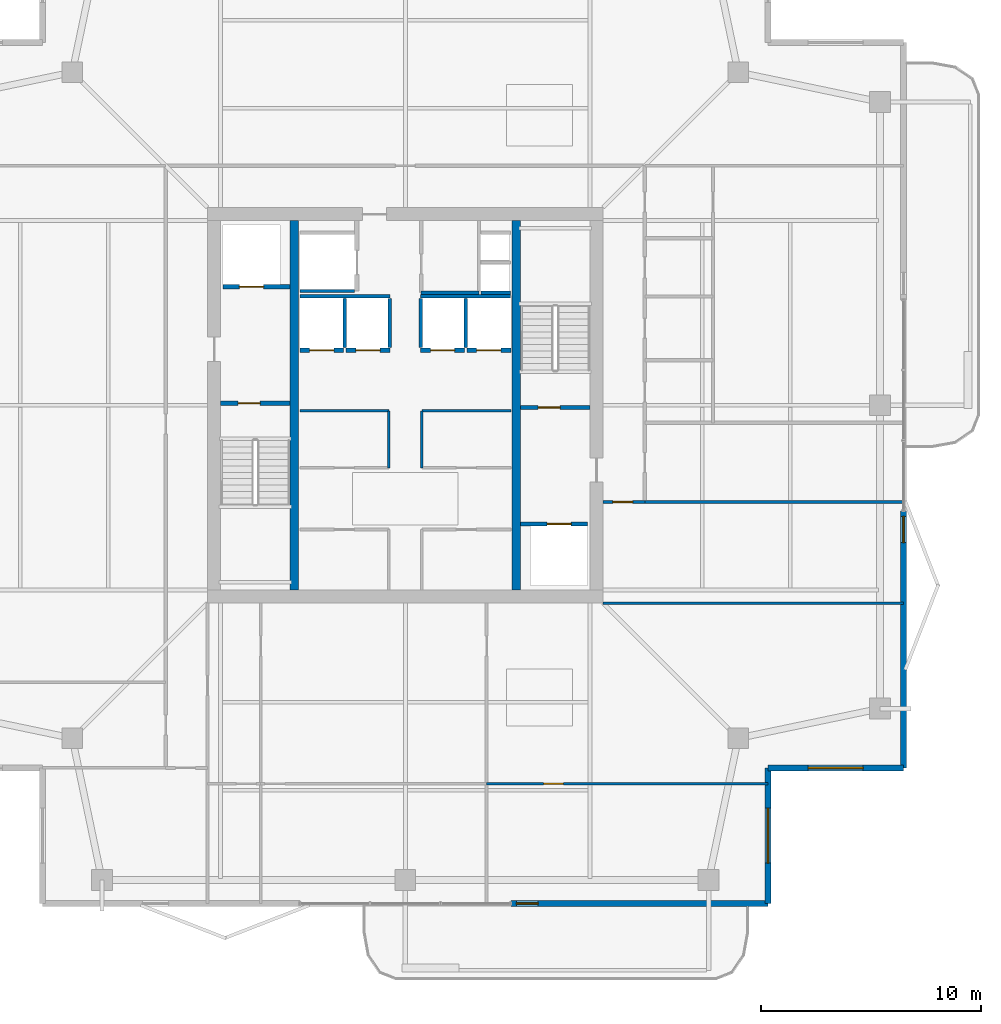
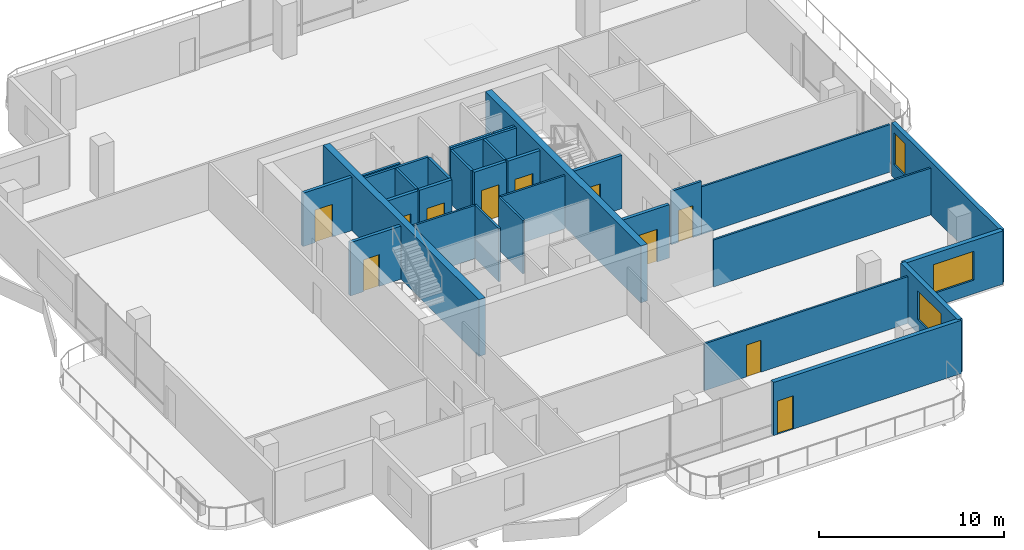
# One storey, part 13 of 18: 31 walls, 11 doors, 3 windows, 14 openings.
"""IFC4 building model written with IfcOpenShell, lengths in metres."""

from ifc_helpers import new_model, si_unit, direction, frame, frame_2d, origin, place, context, subcontext, project, spatial, rectangle, extrude, material, layer, layer_set, type_object, element, fill, save


model = new_model("IFC4")

# Units and contexts
model_context = context("Model", 3, precision=1e-05, world=origin(), true_north=direction((0.0, 1.0)))
body_context = subcontext(model_context, "Body", "Model", "MODEL_VIEW")
ifc_project = project(units=[si_unit("LENGTHUNIT", "METRE"), si_unit("AREAUNIT", "SQUARE_METRE"), si_unit("VOLUMEUNIT", "CUBIC_METRE"), si_unit("PLANEANGLEUNIT", "RADIAN"), si_unit("MASSUNIT", "GRAM", prefix="KILO")], contexts=[model_context])

# Site, building, storey
site_placement = place(None, origin())
site = spatial("IfcSite", under=ifc_project, at=site_placement, CompositionType="ELEMENT")
building_placement = place(site_placement, origin())
building = spatial("IfcBuilding", under=site, at=building_placement, Name="Belovzor Exchange Tower", CompositionType="ELEMENT")
storey_placement = place(building_placement, frame((0.0, 0.0, 310.5)))
storey = spatial("IfcBuildingStorey", under=building, at=storey_placement, Name="L77", CompositionType="ELEMENT", Elevation=310.5)

# Wall, opening, door
ifc_material_1 = material(Name="Acoustic Plasterboard on Galvanised Studs", Category="gypsum")
ifc_layer_1 = layer(ifc_material_1, 0.1201171875)
ifc_layer_set_1 = layer_set([ifc_layer_1], Name="Acoustic Plasterboard on Galvanised Studs")
wall_type_1 = type_object("IfcWallType", Name="Acoustic Double-Stud Partition Wall 120", PredefinedType="PARTITIONING", material=ifc_layer_set_1)
wall_1_placement = place(storey_placement, frame((32.498046875, 11.5791015625, 0.0), z_axis=(0.0, 0.0, 1.0), x_axis=(1.0, 0.0, 0.0)))
wall_1 = element("IfcWall", 1, at=wall_1_placement, inside=storey, type_object=wall_type_1, Name="W-P120 Partition Wall W-L77-SHDIV-2", PredefinedType="PARTITIONING", context=body_context, shape_type="SweptSolid", body=[
    extrude(rectangle(XDim=12.802001953125, YDim=0.1201171875, at=frame_2d((6.40087890625, 0.0))), origin(), (0.0, 0.0, 1.0), 3.094970703125),
])
opening_1_placement = place(wall_1_placement, frame((2.595947265625, 0.0, 0.0)))
opening_1 = element("IfcOpeningElement", 2, at=opening_1_placement, cuts=wall_1, Name="Opening D-INT-090", PredefinedType="OPENING", context=body_context, shape_type="SweptSolid", body=[
    extrude(rectangle(XDim=0.89990234375, YDim=2.10009765625, at=frame_2d((0.449951171875, 1.050048828125))), frame((0.0, 0.070068359375, 0.0), z_axis=(0.0, -1.0, 0.0), x_axis=(1.0, 0.0, 0.0)), (0.0, 0.0, 1.0), 0.14013671875),
])
ifc_material_2 = material(Name="Veneered Hardwood Acoustic Leaf", Category="wood")
door_type_1 = type_object("IfcDoorType", Name="Trading Suite Acoustic Single Door 900x2100", OperationType="NOTDEFINED", PredefinedType="DOOR", material=ifc_material_2)
door_1_placement = place(opening_1_placement, origin())
door_1 = element("IfcDoor", 3, at=door_1_placement, inside=storey, type_object=door_type_1, Name="D-INT-090 Trading Suite Acoustic Single Door 900x2100", OperationType="SINGLE_SWING_LEFT", OverallHeight=2.10009765625, OverallWidth=0.89990234375, PredefinedType="DOOR", context=body_context, shape_type="SweptSolid", body=[
    extrude(rectangle(XDim=0.89990234375, YDim=2.10009765625, at=frame_2d((0.449951171875, 1.050048828125))), frame((0.0, 0.02490234375, 0.0), z_axis=(0.0, -1.0, 0.0), x_axis=(1.0, 0.0, 0.0)), (0.0, 0.0, 1.0), 0.050048828125),
])
fill(opening_1, door_1)

# Walls
wall_2_placement = place(storey_placement, frame((37.800048828125, 19.800048828125, 0.0), z_axis=(0.0, 0.0, 1.0), x_axis=(1.0, 0.0, 0.0)))
element("IfcWall", 4, at=wall_2_placement, inside=storey, type_object=wall_type_1, Name="W-P120 Partition Wall W-L77-ESS", PredefinedType="PARTITIONING", context=body_context, shape_type="SweptSolid", body=[
    extrude(rectangle(XDim=13.669921875, YDim=0.1201171875, at=frame_2d((6.8349609375, 0.0))), origin(), (0.0, 0.0, 1.0), 3.094970703125),
])
wall_3_placement = place(storey_placement, frame((39.699951171875, 24.39990234375, 0.0), z_axis=(0.0, 0.0, 1.0), x_axis=(1.0, 0.0, 0.0)))
element("IfcWall", 5, at=wall_3_placement, inside=storey, type_object=wall_type_1, Name="W-P120 Partition Wall W-L77-ESN", PredefinedType="PARTITIONING", context=body_context, shape_type="SweptSolid", body=[
    extrude(rectangle(XDim=11.77001953125, YDim=0.1201171875, at=frame_2d((5.885009765625, 0.0))), origin(), (0.0, 0.0, 1.0), 3.135009765625),
])
ifc_material_3 = material(Name="Fire-Rated Plasterboard on Galvanised Studs", Category="gypsum")
ifc_layer_2 = layer(ifc_material_3, 0.1201171875)
ifc_layer_set_2 = layer_set([ifc_layer_2], Name="Fire-Rated Plasterboard on Galvanised Studs")
wall_type_2 = type_object("IfcWallType", Name="Fire-Rated Double-Stud Partition Wall 120", PredefinedType="PARTITIONING", material=ifc_layer_set_2)
wall_4_placement = place(storey_placement, frame((24.0, 28.550048828125, 0.0), z_axis=(0.0, 0.0, 1.0), x_axis=(1.0, 0.0, 0.0)))
element("IfcWall", 6, at=wall_4_placement, inside=storey, type_object=wall_type_2, Name="W-P120F Partition Wall W-CRM-L77-WN", PredefinedType="PARTITIONING", context=body_context, shape_type="SweptSolid", body=[
    extrude(rectangle(XDim=4.050048828125, YDim=0.1201171875, at=frame_2d((2.02490234375, 0.0))), origin(), (0.0, 0.0, 1.0), 3.510009765625),
])
wall_5_placement = place(storey_placement, frame((28.050048828125, 25.949951171875, 0.0), z_axis=(0.0, 0.0, 1.0), x_axis=(0.0, 1.0, 0.0)))
element("IfcWall", 7, at=wall_5_placement, inside=storey, type_object=wall_type_2, Name="W-P120F Partition Wall W-CRM-L77-WE", PredefinedType="PARTITIONING", context=body_context, shape_type="SweptSolid", body=[
    extrude(rectangle(XDim=2.60009765625, YDim=0.1201171875, at=frame_2d((1.300048828125, 0.0))), origin(), (0.0, 0.0, 1.0), 3.510009765625),
])
wall_6_placement = place(storey_placement, frame((29.550048828125, 28.550048828125, 0.0), z_axis=(0.0, 0.0, 1.0), x_axis=(1.0, 0.0, 0.0)))
element("IfcWall", 8, at=wall_6_placement, inside=storey, type_object=wall_type_2, Name="W-P120F Partition Wall W-CRM-L77-EN", PredefinedType="PARTITIONING", context=body_context, shape_type="SweptSolid", body=[
    extrude(rectangle(XDim=4.050048828125, YDim=0.1201171875, at=frame_2d((2.02490234375, 0.0))), origin(), (0.0, 0.0, 1.0), 3.510009765625),
])
wall_7_placement = place(storey_placement, frame((29.550048828125, 25.949951171875, 0.0), z_axis=(0.0, 0.0, 1.0), x_axis=(0.0, 1.0, 0.0)))
element("IfcWall", 9, at=wall_7_placement, inside=storey, type_object=wall_type_2, Name="W-P120F Partition Wall W-CRM-L77-EW", PredefinedType="PARTITIONING", context=body_context, shape_type="SweptSolid", body=[
    extrude(rectangle(XDim=2.60009765625, YDim=0.1201171875, at=frame_2d((1.300048828125, 0.0))), origin(), (0.0, 0.0, 1.0), 3.510009765625),
])
ifc_material_4 = material(Name="Fire-Rated Gypsum Block and Mineral Wool", Category="gypsum")
ifc_layer_3 = layer(ifc_material_4, 0.14990234375)
ifc_layer_set_3 = layer_set([ifc_layer_3], Name="Fire-Rated Gypsum Block and Mineral Wool")
wall_type_3 = type_object("IfcWallType", Name="Fire-Rated Gypsum Block Corridor Wall 150", PredefinedType="PARTITIONING", material=ifc_layer_set_3)
wall_8_placement = place(storey_placement, frame((29.52490234375, 33.925048828125, 0.0), z_axis=(0.0, 0.0, 1.0), x_axis=(1.0, 0.0, 0.0)))
element("IfcWall", 10, at=wall_8_placement, inside=storey, type_object=wall_type_3, Name="W-P150 Partition Wall W-CRV-L77-S", PredefinedType="PARTITIONING", context=body_context, shape_type="SweptSolid", body=[
    extrude(rectangle(XDim=2.625, YDim=0.14990234375, at=frame_2d((1.3125, 0.0))), origin(), (0.0, 0.0, 1.0), 3.510009765625),
])

# Wall, opening, door
wall_9_placement = place(storey_placement, frame((37.800048828125, 24.39990234375, 0.0), z_axis=(0.0, 0.0, 1.0), x_axis=(1.0, 0.0, 0.0)))
wall_9 = element("IfcWall", 11, at=wall_9_placement, inside=storey, type_object=wall_type_3, Name="W-P150 Partition Wall W-L77-CE-END", PredefinedType="PARTITIONING", context=body_context, shape_type="SweptSolid", body=[
    extrude(rectangle(XDim=1.89990234375, YDim=0.14990234375, at=frame_2d((0.949951171875, 0.0))), origin(), (0.0, 0.0, 1.0), 3.510009765625),
])
opening_2_placement = place(wall_9_placement, frame((0.449951171875, 0.0, 0.0)))
opening_2 = element("IfcOpeningElement", 12, at=opening_2_placement, cuts=wall_9, Name="Opening D-FD60-090", PredefinedType="OPENING", context=body_context, shape_type="SweptSolid", body=[
    extrude(rectangle(XDim=0.89990234375, YDim=2.10009765625, at=frame_2d((0.449951171875, 1.050048828125))), frame((0.0, 0.0849609375, 0.0), z_axis=(0.0, -1.0, 0.0), x_axis=(1.0, 0.0, 0.0)), (0.0, 0.0, 1.0), 0.169921875),
])
ifc_material_5 = material(Name="Acoustic Timber Fire Leaf", Category="wood")
door_type_2 = type_object("IfcDoorType", Name="Core Service & Restroom Fire Door 900x2100", OperationType="NOTDEFINED", PredefinedType="DOOR", material=ifc_material_5)
door_2_placement = place(opening_2_placement, origin())
door_2 = element("IfcDoor", 13, at=door_2_placement, inside=storey, type_object=door_type_2, Name="D-FD60-090 Core Service & Restroom Fire Door 900x2100", OperationType="SINGLE_SWING_LEFT", OverallHeight=2.10009765625, OverallWidth=0.89990234375, PredefinedType="DOOR", context=body_context, shape_type="SweptSolid", body=[
    extrude(rectangle(XDim=0.89990234375, YDim=2.10009765625, at=frame_2d((0.449951171875, 1.050048828125))), frame((0.0, 0.02490234375, 0.0), z_axis=(0.0, -1.0, 0.0), x_axis=(1.0, 0.0, 0.0)), (0.0, 0.0, 1.0), 0.050048828125),
])
fill(opening_2, door_2)

# Wall, opening, window
ifc_material_6 = material(Name="Precast concrete C40/50", Category="concrete")
ifc_layer_4 = layer(ifc_material_6, 0.280029296875)
ifc_layer_set_4 = layer_set([ifc_layer_4], Name="Precast concrete C40/50")
wall_type_4 = type_object("IfcWallType", Name="Precast Concrete Notched Corner Frame Wall 280", PredefinedType="SOLIDWALL", material=ifc_layer_set_4)
wall_10_placement = place(storey_placement, frame((51.469970703125, 12.300048828125, 0.0), z_axis=(0.0, 0.0, 1.0), x_axis=(-1.0, 0.0, 0.0)))
wall_10 = element("IfcWall", 14, at=wall_10_placement, inside=storey, type_object=wall_type_4, Name="W-CRN280 Precast Concrete Notched Corner Frame Wall 280 L77", PredefinedType="SOLIDWALL", context=body_context, shape_type="SweptSolid", body=[
    extrude(rectangle(XDim=6.169921875, YDim=0.280029296875, at=frame_2d((3.0849609375, 0.0))), origin(), (0.0, 0.0, 1.0), 3.510009765625),
])
opening_3_placement = place(wall_10_placement, frame((1.8349609375, 0.0, 0.89990234375)))
opening_3 = element("IfcOpeningElement", 15, at=opening_3_placement, cuts=wall_10, Name="Opening WN-CRN250", PredefinedType="OPENING", context=body_context, shape_type="SweptSolid", body=[
    extrude(rectangle(XDim=2.5, YDim=1.89990234375, at=frame_2d((1.25, 0.949951171875))), frame((0.0, 0.14990234375, 0.0), z_axis=(0.0, -1.0, 0.0), x_axis=(1.0, 0.0, 0.0)), (0.0, 0.0, 1.0), 0.300048828125),
])
ifc_material_7 = material(Name="Thermally Broken Aluminium and Triple Glazing", Category="aluminium")
window_type_1 = type_object("IfcWindowType", Name="Streamline Moderne Corner Wrap Ribbon Window 2500x1900", PartitioningType="SINGLE_PANEL", PredefinedType="WINDOW", material=ifc_material_7)
window_1_placement = place(opening_3_placement, origin())
window_1 = element("IfcWindow", 16, at=window_1_placement, inside=storey, type_object=window_type_1, Name="WN-CRN250 Streamline Moderne Corner Wrap Ribbon Window 2500x1900", OverallHeight=1.89990234375, OverallWidth=2.5, PartitioningType="SINGLE_PANEL", PredefinedType="WINDOW", context=body_context, shape_type="SweptSolid", body=[
    extrude(rectangle(XDim=2.5, YDim=1.89990234375, at=frame_2d((1.25, 0.949951171875))), frame((0.0, 0.030029296875, 0.0), z_axis=(0.0, -1.0, 0.0), x_axis=(1.0, 0.0, 0.0)), (0.0, 0.0, 1.0), 0.06005859375),
])
fill(opening_3, window_1)

wall_11_placement = place(storey_placement, frame((45.300048828125, 12.300048828125, 0.0), z_axis=(0.0, 0.0, 1.0), x_axis=(0.0, -1.0, 0.0)))
wall_11 = element("IfcWall", 17, at=wall_11_placement, inside=storey, type_object=wall_type_4, Name="W-CRN280 Precast Concrete Notched Corner Frame Wall 280 L77", PredefinedType="SOLIDWALL", context=body_context, shape_type="SweptSolid", body=[
    extrude(rectangle(XDim=6.170166015625, YDim=0.280029296875, at=frame_2d((3.0849609375, 0.0))), origin(), (0.0, 0.0, 1.0), 3.510009765625),
])
opening_4_placement = place(wall_11_placement, frame((1.8349609375, 0.0, 0.89990234375)))
opening_4 = element("IfcOpeningElement", 18, at=opening_4_placement, cuts=wall_11, Name="Opening WN-CRN250", PredefinedType="OPENING", context=body_context, shape_type="SweptSolid", body=[
    extrude(rectangle(XDim=2.5, YDim=1.89990234375, at=frame_2d((1.25, 0.949951171875))), frame((0.0, 0.14990234375, 0.0), z_axis=(0.0, -1.0, 0.0), x_axis=(1.0, 0.0, 0.0)), (0.0, 0.0, 1.0), 0.300048828125),
])
window_2_placement = place(opening_4_placement, origin())
window_2 = element("IfcWindow", 19, at=window_2_placement, inside=storey, type_object=window_type_1, Name="WN-CRN250 Streamline Moderne Corner Wrap Ribbon Window 2500x1900", OverallHeight=1.89990234375, OverallWidth=2.5, PartitioningType="SINGLE_PANEL", PredefinedType="WINDOW", context=body_context, shape_type="SweptSolid", body=[
    extrude(rectangle(XDim=2.5, YDim=1.89990234375, at=frame_2d((1.25, 0.949951171875))), frame((0.0, 0.030029296875, 0.0), z_axis=(0.0, -1.0, 0.0), x_axis=(1.0, 0.0, 0.0)), (0.0, 0.0, 1.0), 0.06005859375),
])
fill(opening_4, window_2)

# Wall, opening, door
ifc_material_8 = material(Name="Precast concrete C40/50", Category="concrete")
ifc_layer_5 = layer(ifc_material_8, 0.260009765625)
ifc_layer_set_5 = layer_set([ifc_layer_5], Name="Precast concrete C40/50")
wall_type_5 = type_object("IfcWallType", Name="Precast Concrete Perimeter Loggia Frame Wall 260", PredefinedType="SOLIDWALL", material=ifc_layer_set_5)
wall_12_placement = place(storey_placement, frame((45.300048828125, 6.1298828125, 0.0), z_axis=(0.0, 0.0, 1.0), x_axis=(-1.0, 0.0, 0.0)))
wall_12 = element("IfcWall", 20, at=wall_12_placement, inside=storey, type_object=wall_type_5, Name="W-EXT260 Precast Concrete Perimeter Loggia Frame Wall 260 L77", PredefinedType="SOLIDWALL", context=body_context, shape_type="SweptSolid", body=[
    extrude(rectangle(XDim=11.699951171875, YDim=0.260009765625, at=frame_2d((5.85009765625, 0.0))), origin(), (0.0, 0.0, 1.0), 3.510009765625),
])
opening_5_placement = place(wall_12_placement, frame((10.449951171875, 0.0, 0.0)))
opening_5 = element("IfcOpeningElement", 21, at=opening_5_placement, cuts=wall_12, Name="Opening D-BAL100", PredefinedType="OPENING", context=body_context, shape_type="SweptSolid", body=[
    extrude(rectangle(XDim=1.0, YDim=2.199951171875, at=frame_2d((0.5, 1.10009765625))), frame((0.0, 0.139892578125, 0.0), z_axis=(0.0, -1.0, 0.0), x_axis=(1.0, 0.0, 0.0)), (0.0, 0.0, 1.0), 0.280029296875),
])
ifc_material_9 = material(Name="Thermally Broken Anodised Aluminium and Laminated Glass", Category="aluminium")
door_type_3 = type_object("IfcDoorType", Name="Planted Loggia Terrace Glazed Door 1000x2200", OperationType="SINGLE_SWING_LEFT", PredefinedType="DOOR", material=ifc_material_9)
door_3_placement = place(opening_5_placement, origin())
door_3 = element("IfcDoor", 22, at=door_3_placement, inside=storey, type_object=door_type_3, Name="D-BAL100 Balcony Terrace Door L77 S", OperationType="SINGLE_SWING_LEFT", OverallHeight=2.199951171875, OverallWidth=1.0, PredefinedType="DOOR", context=body_context, shape_type="SweptSolid", body=[
    extrude(rectangle(XDim=1.0, YDim=2.199951171875, at=frame_2d((0.5, 1.10009765625))), frame((0.0, 0.02490234375, 0.0), z_axis=(0.0, -1.0, 0.0), x_axis=(1.0, 0.0, 0.0)), (0.0, 0.0, 1.0), 0.050048828125),
])
fill(opening_5, door_3)

# Wall, opening, window
wall_13_placement = place(storey_placement, frame((51.469970703125, 24.0, 0.0), z_axis=(0.0, 0.0, 1.0), x_axis=(0.0, -1.0, 0.0)))
wall_13 = element("IfcWall", 23, at=wall_13_placement, inside=storey, type_object=wall_type_5, Name="W-EXT260 Precast Concrete Perimeter Loggia Frame Wall 260 L77", PredefinedType="SOLIDWALL", context=body_context, shape_type="SweptSolid", body=[
    extrude(rectangle(XDim=11.699951171875, YDim=0.260009765625, at=frame_2d((5.85009765625, 0.0))), origin(), (0.0, 0.0, 1.0), 3.510009765625),
])
opening_6_placement = place(wall_13_placement, frame((0.25, 0.0, 0.89990234375)))
opening_6 = element("IfcOpeningElement", 24, at=opening_6_placement, cuts=wall_13, Name="Opening WN-CRN120", PredefinedType="OPENING", context=body_context, shape_type="SweptSolid", body=[
    extrude(rectangle(XDim=1.199951171875, YDim=2.10009765625, at=frame_2d((0.60009765625, 1.050048828125))), frame((0.0, 0.139892578125, 0.0), z_axis=(0.0, -1.0, 0.0), x_axis=(1.0, 0.0, 0.0)), (0.0, 0.0, 1.0), 0.280029296875),
])
ifc_material_10 = material(Name="Thermally Broken Aluminium and Triple Glazing", Category="aluminium")
window_type_2 = type_object("IfcWindowType", Name="Streamline Notched Corner Window 1200x2100", PartitioningType="SINGLE_PANEL", PredefinedType="WINDOW", material=ifc_material_10)
window_3_placement = place(opening_6_placement, origin())
window_3 = element("IfcWindow", 25, at=window_3_placement, inside=storey, type_object=window_type_2, Name="WN-CRN120 Streamline Notched Corner Window 1200x2100", OverallHeight=2.10009765625, OverallWidth=1.199951171875, PartitioningType="SINGLE_PANEL", PredefinedType="WINDOW", context=body_context, shape_type="SweptSolid", body=[
    extrude(rectangle(XDim=1.199951171875, YDim=2.10009765625, at=frame_2d((0.60009765625, 1.050048828125))), frame((0.0, 0.030029296875, 0.0), z_axis=(0.0, -1.0, 0.0), x_axis=(1.0, 0.0, 0.0)), (0.0, 0.0, 1.0), 0.06005859375),
])
fill(opening_6, window_3)

# Walls
ifc_material_11 = material(Name="Concrete C50/60", Category="concrete")
ifc_layer_6 = layer(ifc_material_11, 0.39990234375)
ifc_layer_set_6 = layer_set([ifc_layer_6], Name="Concrete C50/60")
wall_type_6 = type_object("IfcWallType", Name="Reinforced Concrete Core Internal Web Wall 400", PredefinedType="SHEAR", material=ifc_layer_set_6)
for number, where, z_axis, x_axis, name in (
    (26, (23.75, 20.39990234375, 0.0), (0.0, 0.0, 1.0), (0.0, 1.0, 0.0), "CW-W040 Core Internal Web Wall L77 WL"),
    (27, (33.85009765625, 20.39990234375, 0.0), (0.0, 0.0, 1.0), (0.0, 1.0, 0.0), "CW-W040 Core Internal Web Wall L77 ER"),
):
    element("IfcWall", number, at=place(storey_placement, frame(where, z_axis=z_axis, x_axis=x_axis)), inside=storey, type_object=wall_type_6, Name=name, PredefinedType="SHEAR", context=body_context, shape_type="SweptSolid", body=[
        extrude(rectangle(XDim=16.800048828125, YDim=0.39990234375, at=frame_2d((8.39990234375, 0.0))), origin(), (0.0, 0.0, 1.0), 3.75),
    ])
ifc_material_12 = material(Name="Concrete C50/60", Category="concrete")
ifc_layer_7 = layer(ifc_material_12, 0.14990234375)
ifc_layer_set_7 = layer_set([ifc_layer_7], Name="Concrete C50/60")
wall_type_7 = type_object("IfcWallType", Name="Reinforced Concrete Core Riser Shear Wall 150", PredefinedType="SHEAR", material=ifc_layer_set_7)
wall_14_placement = place(storey_placement, frame((32.25, 33.925048828125, 0.0), z_axis=(0.0, 0.0, 1.0), x_axis=(1.0, 0.0, 0.0)))
element("IfcWall", 28, at=wall_14_placement, inside=storey, type_object=wall_type_7, Name="W-C150S Core Shaft Wall W-RSR-L77-S", PredefinedType="SHEAR", context=body_context, shape_type="SweptSolid", body=[
    extrude(rectangle(XDim=1.330078125, YDim=0.14990234375, at=frame_2d((0.6650390625, 0.0))), origin(), (0.0, 0.0, 1.0), 3.510009765625),
])
wall_15_placement = place(storey_placement, frame((24.0, 34.0, 0.0), z_axis=(0.0, 0.0, 1.0), x_axis=(1.0, 0.0, 0.0)))
element("IfcWall", 29, at=wall_15_placement, inside=storey, type_object=wall_type_7, Name="W-C150S Core Shaft Wall W-SH-L77-SL-01S", PredefinedType="SHEAR", context=body_context, shape_type="SweptSolid", body=[
    extrude(rectangle(XDim=2.47998046875, YDim=0.14990234375, at=frame_2d((1.239990234375, 0.0))), origin(), (0.0, 0.0, 1.0), 3.510009765625),
])
for number, where, z_axis, x_axis, name in (
    (30, (24.02001953125, 33.760009765625, 0.0), (0.0, 0.0, 1.0), (1.0, 0.0, 0.0), "W-C150S Core Shaft Wall W-SHB-L77-PLH-NW"),
    (31, (29.5, 33.760009765625, 0.0), (0.0, 0.0, 1.0), (1.0, 0.0, 0.0), "W-C150S Core Shaft Wall W-SHB-L77-PLH-NE"),
):
    element("IfcWall", number, at=place(storey_placement, frame(where, z_axis=z_axis, x_axis=x_axis)), inside=storey, type_object=wall_type_7, Name=name, PredefinedType="SHEAR", context=body_context, shape_type="SweptSolid", body=[
        extrude(rectangle(XDim=4.080078125, YDim=0.14990234375, at=frame_2d((2.0400390625, 0.0))), origin(), (0.0, 0.0, 1.0), 3.510009765625),
    ])
for number, where, z_axis, x_axis, name in (
    (32, (26.050048828125, 31.419921875, 0.0), (0.0, 0.0, 1.0), (0.0, 1.0, 0.0), "W-C150S Core Shaft Wall W-SHD-L77-PLH-1"),
    (33, (28.10009765625, 31.419921875, 0.0), (0.0, 0.0, 1.0), (0.0, 1.0, 0.0), "W-C150S Core Shaft Wall W-SHD-L77-PLH-2"),
    (34, (29.5, 31.419921875, 0.0), (0.0, 0.0, 1.0), (0.0, 1.0, 0.0), "W-C150S Core Shaft Wall W-SHD-L77-PLH-3"),
    (35, (31.550048828125, 31.419921875, 0.0), (0.0, 0.0, 1.0), (0.0, 1.0, 0.0), "W-C150S Core Shaft Wall W-SHD-L77-PLH-4"),
):
    element("IfcWall", number, at=place(storey_placement, frame(where, z_axis=z_axis, x_axis=x_axis)), inside=storey, type_object=wall_type_7, Name=name, PredefinedType="SHEAR", context=body_context, shape_type="SweptSolid", body=[
        extrude(rectangle(XDim=2.239990234375, YDim=0.14990234375, at=frame_2d((1.1201171875, 0.0))), origin(), (0.0, 0.0, 1.0), 3.510009765625),
    ])

# Wall, opening, door
ifc_material_13 = material(Name="Concrete C50/60", Category="concrete")
ifc_layer_8 = layer(ifc_material_13, 0.199951171875)
ifc_layer_set_8 = layer_set([ifc_layer_8], Name="Concrete C50/60")
wall_type_8 = type_object("IfcWallType", Name="Reinforced Concrete Core Shaft Shear Wall 200", PredefinedType="SHEAR", material=ifc_layer_set_8)
wall_16_placement = place(storey_placement, frame((20.39990234375, 28.89990234375, 0.0), z_axis=(0.0, 0.0, 1.0), x_axis=(1.0, 0.0, 0.0)))
wall_16 = element("IfcWall", 36, at=wall_16_placement, inside=storey, type_object=wall_type_8, Name="W-C200S Core Shaft Wall W-CORE-L77-FFLW1", PredefinedType="SHEAR", context=body_context, shape_type="SweptSolid", body=[
    extrude(rectangle(XDim=3.150146484375, YDim=0.199951171875, at=frame_2d((1.5751953125, 0.0))), origin(), (0.0, 0.0, 1.0), 3.510009765625),
])
opening_7_placement = place(wall_16_placement, frame((0.800048828125, 0.0, 0.0)))
opening_7 = element("IfcOpeningElement", 37, at=opening_7_placement, cuts=wall_16, Name="Opening D-FD90-100", PredefinedType="OPENING", context=body_context, shape_type="SweptSolid", body=[
    extrude(rectangle(XDim=1.0, YDim=2.10009765625, at=frame_2d((0.5, 1.050048828125))), frame((0.0, 0.10986328125, 0.0), z_axis=(0.0, -1.0, 0.0), x_axis=(1.0, 0.0, 0.0)), (0.0, 0.0, 1.0), 0.219970703125),
])
ifc_material_14 = material(Name="Fire-Rated Galvanised Steel Leaf", Category="steel")
door_type_4 = type_object("IfcDoorType", Name="Protected Stairwell Single Fire Door 1000x2100", OperationType="NOTDEFINED", PredefinedType="DOOR", material=ifc_material_14)
door_4_placement = place(opening_7_placement, origin())
door_4 = element("IfcDoor", 38, at=door_4_placement, inside=storey, type_object=door_type_4, Name="D-FD90-100 Protected Stairwell Single Fire Door 1000x2100", OperationType="SINGLE_SWING_RIGHT", OverallHeight=2.10009765625, OverallWidth=1.0, PredefinedType="DOOR", context=body_context, shape_type="SweptSolid", body=[
    extrude(rectangle(XDim=1.0, YDim=2.10009765625, at=frame_2d((0.5, 1.050048828125))), frame((0.0, 0.02490234375, 0.0), z_axis=(0.0, -1.0, 0.0), x_axis=(1.0, 0.0, 0.0)), (0.0, 0.0, 1.0), 0.050048828125),
])
fill(opening_7, door_4)

wall_17_placement = place(storey_placement, frame((34.050048828125, 28.699951171875, 0.0), z_axis=(0.0, 0.0, 1.0), x_axis=(1.0, 0.0, 0.0)))
wall_17 = element("IfcWall", 39, at=wall_17_placement, inside=storey, type_object=wall_type_8, Name="W-C200S Core Shaft Wall W-CORE-L77-FFLE2", PredefinedType="SHEAR", context=body_context, shape_type="SweptSolid", body=[
    extrude(rectangle(XDim=3.14990234375, YDim=0.199951171875, at=frame_2d((1.574951171875, 0.0))), origin(), (0.0, 0.0, 1.0), 3.510009765625),
])
opening_8_placement = place(wall_17_placement, frame((0.800048828125, 0.0, 0.0)))
opening_8 = element("IfcOpeningElement", 40, at=opening_8_placement, cuts=wall_17, Name="Opening D-FD90-100", PredefinedType="OPENING", context=body_context, shape_type="SweptSolid", body=[
    extrude(rectangle(XDim=1.0, YDim=2.10009765625, at=frame_2d((0.5, 1.050048828125))), frame((0.0, 0.10986328125, 0.0), z_axis=(0.0, -1.0, 0.0), x_axis=(1.0, 0.0, 0.0)), (0.0, 0.0, 1.0), 0.219970703125),
])
door_5_placement = place(opening_8_placement, origin())
door_5 = element("IfcDoor", 41, at=door_5_placement, inside=storey, type_object=door_type_4, Name="D-FD90-100 Protected Stairwell Single Fire Door 1000x2100", OperationType="SINGLE_SWING_LEFT", OverallHeight=2.10009765625, OverallWidth=1.0, PredefinedType="DOOR", context=body_context, shape_type="SweptSolid", body=[
    extrude(rectangle(XDim=1.0, YDim=2.10009765625, at=frame_2d((0.5, 1.050048828125))), frame((0.0, 0.02490234375, 0.0), z_axis=(0.0, -1.0, 0.0), x_axis=(1.0, 0.0, 0.0)), (0.0, 0.0, 1.0), 0.050048828125),
])
fill(opening_8, door_5)

wall_18_placement = place(storey_placement, frame((20.5, 34.199951171875, 0.0), z_axis=(0.0, 0.0, 1.0), x_axis=(1.0, 0.0, 0.0)))
wall_18 = element("IfcWall", 42, at=wall_18_placement, inside=storey, type_object=wall_type_8, Name="W-C200S Core Shaft Wall W-SH-L77-FFL-01", PredefinedType="SHEAR", context=body_context, shape_type="SweptSolid", body=[
    extrude(rectangle(XDim=3.050048828125, YDim=0.199951171875, at=frame_2d((1.52490234375, 0.0))), origin(), (0.0, 0.0, 1.0), 3.510009765625),
])
opening_9_placement = place(wall_18_placement, frame((0.75, 0.0, 0.0)))
opening_9 = element("IfcOpeningElement", 43, at=opening_9_placement, cuts=wall_18, Name="Opening LD-110", PredefinedType="OPENING", context=body_context, shape_type="SweptSolid", body=[
    extrude(rectangle(XDim=1.10009765625, YDim=2.14990234375, at=frame_2d((0.550048828125, 1.074951171875))), frame((0.0, 0.10986328125, 0.0), z_axis=(0.0, -1.0, 0.0), x_axis=(1.0, 0.0, 0.0)), (0.0, 0.0, 1.0), 0.219970703125),
])
ifc_material_15 = material(Name="Stainless Steel Grade 304", Category="steel")
door_type_5 = type_object("IfcDoorType", Name="Automated Stainless Steel Lift Landing Door 1100x2150", OperationType="SLIDING_TO_RIGHT", PredefinedType="DOOR", material=ifc_material_15)
door_6_placement = place(opening_9_placement, origin())
door_6 = element("IfcDoor", 44, at=door_6_placement, inside=storey, type_object=door_type_5, Name="LD-110 Automated Stainless Steel Lift Landing Door 1100x2150", OperationType="SLIDING_TO_RIGHT", OverallHeight=2.14990234375, OverallWidth=1.10009765625, PredefinedType="DOOR", context=body_context, shape_type="SweptSolid", body=[
    extrude(rectangle(XDim=1.10009765625, YDim=2.14990234375, at=frame_2d((0.550048828125, 1.074951171875))), frame((0.0, 0.02490234375, 0.0), z_axis=(0.0, -1.0, 0.0), x_axis=(1.0, 0.0, 0.0)), (0.0, 0.0, 1.0), 0.050048828125),
])
fill(opening_9, door_6)

wall_19_placement = place(storey_placement, frame((34.050048828125, 23.39990234375, 0.0), z_axis=(0.0, 0.0, 1.0), x_axis=(1.0, 0.0, 0.0)))
wall_19 = element("IfcWall", 45, at=wall_19_placement, inside=storey, type_object=wall_type_8, Name="W-C200S Core Shaft Wall W-SH-L77-FFL-02", PredefinedType="SHEAR", context=body_context, shape_type="SweptSolid", body=[
    extrude(rectangle(XDim=3.050048828125, YDim=0.199951171875, at=frame_2d((1.52490234375, 0.0))), origin(), (0.0, 0.0, 1.0), 3.510009765625),
])
opening_10_placement = place(wall_19_placement, frame((1.199951171875, 0.0, 0.0)))
opening_10 = element("IfcOpeningElement", 46, at=opening_10_placement, cuts=wall_19, Name="Opening LD-110", PredefinedType="OPENING", context=body_context, shape_type="SweptSolid", body=[
    extrude(rectangle(XDim=1.10009765625, YDim=2.14990234375, at=frame_2d((0.550048828125, 1.074951171875))), frame((0.0, 0.10986328125, 0.0), z_axis=(0.0, -1.0, 0.0), x_axis=(1.0, 0.0, 0.0)), (0.0, 0.0, 1.0), 0.219970703125),
])
door_7_placement = place(opening_10_placement, origin())
door_7 = element("IfcDoor", 47, at=door_7_placement, inside=storey, type_object=door_type_5, Name="LD-110 Automated Stainless Steel Lift Landing Door 1100x2150", OperationType="SLIDING_TO_RIGHT", OverallHeight=2.14990234375, OverallWidth=1.10009765625, PredefinedType="DOOR", context=body_context, shape_type="SweptSolid", body=[
    extrude(rectangle(XDim=1.10009765625, YDim=2.14990234375, at=frame_2d((0.550048828125, 1.074951171875))), frame((0.0, 0.02490234375, 0.0), z_axis=(0.0, -1.0, 0.0), x_axis=(1.0, 0.0, 0.0)), (0.0, 0.0, 1.0), 0.050048828125),
])
fill(opening_10, door_7)

wall_20_placement = place(storey_placement, frame((24.0, 31.300048828125, 0.0), z_axis=(0.0, 0.0, 1.0), x_axis=(1.0, 0.0, 0.0)))
wall_20 = element("IfcWall", 48, at=wall_20_placement, inside=storey, type_object=wall_type_8, Name="W-C200S Core Shaft Wall W-SH-L77-PL-H1", PredefinedType="SHEAR", context=body_context, shape_type="SweptSolid", body=[
    extrude(rectangle(XDim=2.0, YDim=0.199951171875, at=frame_2d((1.0, 0.0))), origin(), (0.0, 0.0, 1.0), 3.510009765625),
])
opening_11_placement = place(wall_20_placement, frame((0.449951171875, 0.0, 0.0)))
opening_11 = element("IfcOpeningElement", 49, at=opening_11_placement, cuts=wall_20, Name="Opening LD-110", PredefinedType="OPENING", context=body_context, shape_type="SweptSolid", body=[
    extrude(rectangle(XDim=1.10009765625, YDim=2.14990234375, at=frame_2d((0.550048828125, 1.074951171875))), frame((0.0, 0.10986328125, 0.0), z_axis=(0.0, -1.0, 0.0), x_axis=(1.0, 0.0, 0.0)), (0.0, 0.0, 1.0), 0.219970703125),
])
door_8_placement = place(opening_11_placement, origin())
door_8 = element("IfcDoor", 50, at=door_8_placement, inside=storey, type_object=door_type_5, Name="LD-110 Automated Stainless Steel Lift Landing Door 1100x2150", OperationType="SLIDING_TO_RIGHT", OverallHeight=2.14990234375, OverallWidth=1.10009765625, PredefinedType="DOOR", context=body_context, shape_type="SweptSolid", body=[
    extrude(rectangle(XDim=1.10009765625, YDim=2.14990234375, at=frame_2d((0.550048828125, 1.074951171875))), frame((0.0, 0.02490234375, 0.0), z_axis=(0.0, -1.0, 0.0), x_axis=(1.0, 0.0, 0.0)), (0.0, 0.0, 1.0), 0.050048828125),
])
fill(opening_11, door_8)

wall_21_placement = place(storey_placement, frame((26.10009765625, 31.300048828125, 0.0), z_axis=(0.0, 0.0, 1.0), x_axis=(1.0, 0.0, 0.0)))
wall_21 = element("IfcWall", 51, at=wall_21_placement, inside=storey, type_object=wall_type_8, Name="W-C200S Core Shaft Wall W-SH-L77-PL-H2", PredefinedType="SHEAR", context=body_context, shape_type="SweptSolid", body=[
    extrude(rectangle(XDim=2.0, YDim=0.199951171875, at=frame_2d((1.0, 0.0))), origin(), (0.0, 0.0, 1.0), 3.510009765625),
])
opening_12_placement = place(wall_21_placement, frame((0.449951171875, 0.0, 0.0)))
opening_12 = element("IfcOpeningElement", 52, at=opening_12_placement, cuts=wall_21, Name="Opening LD-110", PredefinedType="OPENING", context=body_context, shape_type="SweptSolid", body=[
    extrude(rectangle(XDim=1.10009765625, YDim=2.14990234375, at=frame_2d((0.550048828125, 1.074951171875))), frame((0.0, 0.10986328125, 0.0), z_axis=(0.0, -1.0, 0.0), x_axis=(1.0, 0.0, 0.0)), (0.0, 0.0, 1.0), 0.219970703125),
])
door_9_placement = place(opening_12_placement, origin())
door_9 = element("IfcDoor", 53, at=door_9_placement, inside=storey, type_object=door_type_5, Name="LD-110 Automated Stainless Steel Lift Landing Door 1100x2150", OperationType="SLIDING_TO_RIGHT", OverallHeight=2.14990234375, OverallWidth=1.10009765625, PredefinedType="DOOR", context=body_context, shape_type="SweptSolid", body=[
    extrude(rectangle(XDim=1.10009765625, YDim=2.14990234375, at=frame_2d((0.550048828125, 1.074951171875))), frame((0.0, 0.02490234375, 0.0), z_axis=(0.0, -1.0, 0.0), x_axis=(1.0, 0.0, 0.0)), (0.0, 0.0, 1.0), 0.050048828125),
])
fill(opening_12, door_9)

wall_22_placement = place(storey_placement, frame((29.5, 31.300048828125, 0.0), z_axis=(0.0, 0.0, 1.0), x_axis=(1.0, 0.0, 0.0)))
wall_22 = element("IfcWall", 54, at=wall_22_placement, inside=storey, type_object=wall_type_8, Name="W-C200S Core Shaft Wall W-SH-L77-PL-H3", PredefinedType="SHEAR", context=body_context, shape_type="SweptSolid", body=[
    extrude(rectangle(XDim=2.0, YDim=0.199951171875, at=frame_2d((1.0, 0.0))), origin(), (0.0, 0.0, 1.0), 3.510009765625),
])
opening_13_placement = place(wall_22_placement, frame((0.449951171875, 0.0, 0.0)))
opening_13 = element("IfcOpeningElement", 55, at=opening_13_placement, cuts=wall_22, Name="Opening LD-110", PredefinedType="OPENING", context=body_context, shape_type="SweptSolid", body=[
    extrude(rectangle(XDim=1.10009765625, YDim=2.14990234375, at=frame_2d((0.550048828125, 1.074951171875))), frame((0.0, 0.10986328125, 0.0), z_axis=(0.0, -1.0, 0.0), x_axis=(1.0, 0.0, 0.0)), (0.0, 0.0, 1.0), 0.219970703125),
])
door_10_placement = place(opening_13_placement, origin())
door_10 = element("IfcDoor", 56, at=door_10_placement, inside=storey, type_object=door_type_5, Name="LD-110 Automated Stainless Steel Lift Landing Door 1100x2150", OperationType="SLIDING_TO_RIGHT", OverallHeight=2.14990234375, OverallWidth=1.10009765625, PredefinedType="DOOR", context=body_context, shape_type="SweptSolid", body=[
    extrude(rectangle(XDim=1.10009765625, YDim=2.14990234375, at=frame_2d((0.550048828125, 1.074951171875))), frame((0.0, 0.02490234375, 0.0), z_axis=(0.0, -1.0, 0.0), x_axis=(1.0, 0.0, 0.0)), (0.0, 0.0, 1.0), 0.050048828125),
])
fill(opening_13, door_10)

wall_23_placement = place(storey_placement, frame((31.60009765625, 31.300048828125, 0.0), z_axis=(0.0, 0.0, 1.0), x_axis=(1.0, 0.0, 0.0)))
wall_23 = element("IfcWall", 57, at=wall_23_placement, inside=storey, type_object=wall_type_8, Name="W-C200S Core Shaft Wall W-SH-L77-PL-H4", PredefinedType="SHEAR", context=body_context, shape_type="SweptSolid", body=[
    extrude(rectangle(XDim=2.0, YDim=0.199951171875, at=frame_2d((1.0, 0.0))), origin(), (0.0, 0.0, 1.0), 3.510009765625),
])
opening_14_placement = place(wall_23_placement, frame((0.449951171875, 0.0, 0.0)))
opening_14 = element("IfcOpeningElement", 58, at=opening_14_placement, cuts=wall_23, Name="Opening LD-110", PredefinedType="OPENING", context=body_context, shape_type="SweptSolid", body=[
    extrude(rectangle(XDim=1.10009765625, YDim=2.14990234375, at=frame_2d((0.550048828125, 1.074951171875))), frame((0.0, 0.10986328125, 0.0), z_axis=(0.0, -1.0, 0.0), x_axis=(1.0, 0.0, 0.0)), (0.0, 0.0, 1.0), 0.219970703125),
])
door_11_placement = place(opening_14_placement, origin())
door_11 = element("IfcDoor", 59, at=door_11_placement, inside=storey, type_object=door_type_5, Name="LD-110 Automated Stainless Steel Lift Landing Door 1100x2150", OperationType="SLIDING_TO_RIGHT", OverallHeight=2.14990234375, OverallWidth=1.10009765625, PredefinedType="DOOR", context=body_context, shape_type="SweptSolid", body=[
    extrude(rectangle(XDim=1.10009765625, YDim=2.14990234375, at=frame_2d((0.550048828125, 1.074951171875))), frame((0.0, 0.02490234375, 0.0), z_axis=(0.0, -1.0, 0.0), x_axis=(1.0, 0.0, 0.0)), (0.0, 0.0, 1.0), 0.050048828125),
])
fill(opening_14, door_11)

save(model, "model.ifc")
